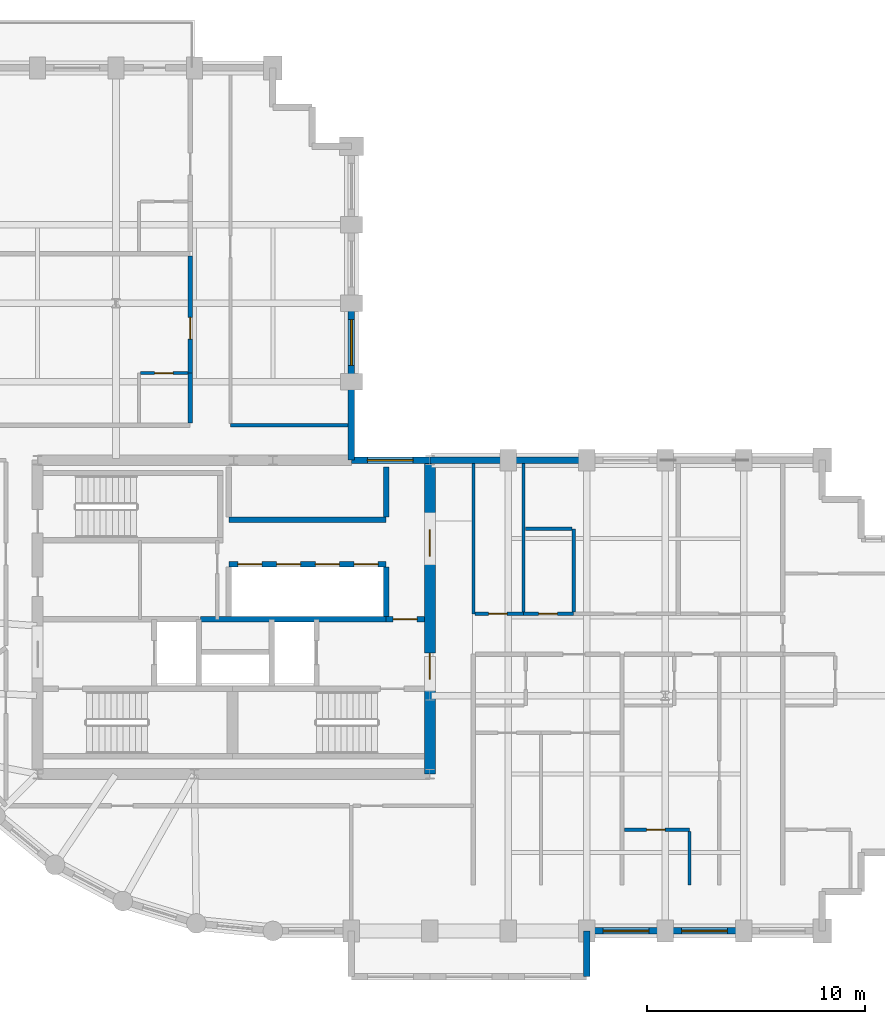
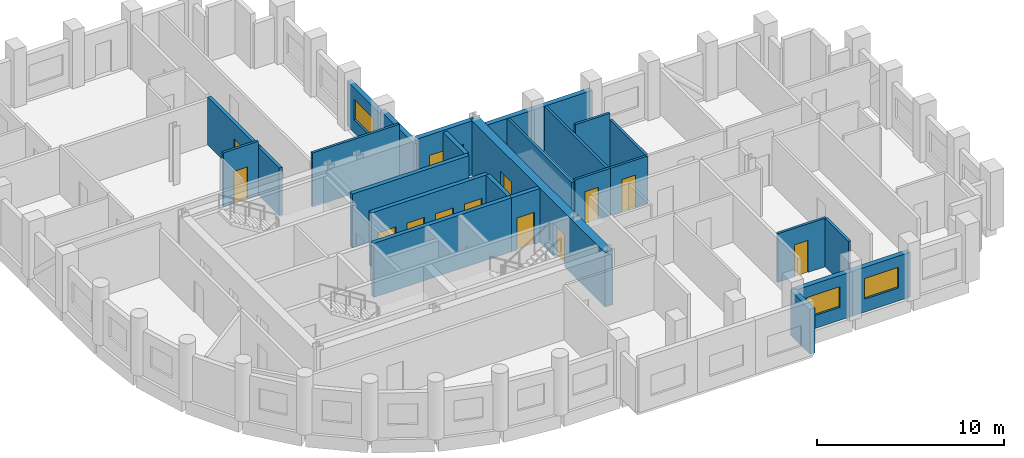
# One storey, part 5 of 9: 27 walls, 12 doors, 4 windows, 16 openings.
"""IFC4 building model written with IfcOpenShell, lengths in metres."""

from ifc_helpers import new_model, si_unit, direction, frame, frame_2d, origin, place, context, subcontext, project, spatial, rectangle, extrude, material, layer, layer_set, type_object, element, fill, save


model = new_model("IFC4")

# Units and contexts
model_context = context("Model", 3, precision=1e-05, world=origin(), true_north=direction((0.0, 1.0)))
body_context = subcontext(model_context, "Body", "Model", "MODEL_VIEW")
ifc_project = project(units=[si_unit("LENGTHUNIT", "METRE"), si_unit("AREAUNIT", "SQUARE_METRE"), si_unit("VOLUMEUNIT", "CUBIC_METRE"), si_unit("PLANEANGLEUNIT", "RADIAN"), si_unit("MASSUNIT", "GRAM", prefix="KILO")], contexts=[model_context])

# Site, building, storey
site_placement = place(None, origin())
site = spatial("IfcSite", under=ifc_project, at=site_placement, CompositionType="ELEMENT")
building_placement = place(site_placement, origin())
building = spatial("IfcBuilding", under=site, at=building_placement, Name="Solnavia Interchange Tower", CompositionType="ELEMENT")
storey_placement = place(building_placement, frame((0.0, 0.0, 131.39990234375)))
storey = spatial("IfcBuildingStorey", under=building, at=storey_placement, Name="L32", CompositionType="ELEMENT", Elevation=131.39990234375)

# Wall
ifc_material_1 = material(Name="Gypsum Acoustic Twin-Stud & Mineral Wool", Category="gypsum")
ifc_layer_1 = layer(ifc_material_1, 0.199951171875)
ifc_layer_set_1 = layer_set([ifc_layer_1], Name="Gypsum Acoustic Twin-Stud & Mineral Wool")
wall_type_1 = type_object("IfcWallType", Name="Wall-ApartmentParty-200", PredefinedType="PARTITIONING", material=ifc_layer_set_1)
wall_1_placement = place(storey_placement, frame((21.39990234375, 26.904052734375, 0.0), z_axis=(0.0, 0.0, 1.0), x_axis=(0.0, 1.0, 0.0)))
element("IfcWall", 1, at=wall_1_placement, inside=storey, type_object=wall_type_1, Name="PTW-L32-46 Interior partition wall", PredefinedType="PARTITIONING", context=body_context, shape_type="SweptSolid", body=[
    extrude(rectangle(XDim=2.2958984375, YDim=0.199951171875, at=frame_2d((1.14794921875, 0.0))), origin(), (0.0, 0.0, 1.0), 3.130126953125),
])

# Wall, opening, door
wall_2_placement = place(storey_placement, frame((21.39990234375, 29.199951171875, 0.0), z_axis=(0.0, 0.0, 1.0), x_axis=(0.0, 1.0, 0.0)))
wall_2 = element("IfcWall", 2, at=wall_2_placement, inside=storey, type_object=wall_type_1, Name="PTW-L32-49 Interior partition wall", PredefinedType="PARTITIONING", context=body_context, shape_type="SweptSolid", body=[
    extrude(rectangle(XDim=5.365966796875, YDim=0.199951171875, at=frame_2d((2.68310546875, 0.0))), origin(), (0.0, 0.0, 1.0), 3.130126953125),
])
opening_1_placement = place(wall_2_placement, frame((1.556884765625, 0.0, 0.0)))
opening_1 = element("IfcOpeningElement", 3, at=opening_1_placement, cuts=wall_2, Name="Opening DR-06", PredefinedType="OPENING", context=body_context, shape_type="SweptSolid", body=[
    extrude(rectangle(XDim=1.0, YDim=2.10009765625, at=frame_2d((0.5, 1.050048828125))), frame((0.0, 0.10986328125, 0.0), z_axis=(0.0, -1.0, 0.0), x_axis=(1.0, 0.0, 0.0)), (0.0, 0.0, 1.0), 0.219970703125),
])
ifc_material_2 = material(Name="Engineered Timber Acoustic Fire Door", Category="wood")
door_type_1 = type_object("IfcDoorType", Name="Door-FlatEntry-1000x2100", OperationType="SINGLE_SWING_LEFT", PredefinedType="DOOR", material=ifc_material_2)
door_1_placement = place(opening_1_placement, origin())
door_1 = element("IfcDoor", 4, at=door_1_placement, inside=storey, type_object=door_type_1, Name="DR-L32-22 Interior room door", OperationType="SINGLE_SWING_RIGHT", OverallHeight=2.10009765625, OverallWidth=1.0, PredefinedType="DOOR", context=body_context, shape_type="SweptSolid", body=[
    extrude(rectangle(XDim=1.0, YDim=2.10009765625, at=frame_2d((0.5, 1.050048828125))), frame((0.0, 0.02490234375, 0.0), z_axis=(0.0, -1.0, 0.0), x_axis=(1.0, 0.0, 0.0)), (0.0, 0.0, 1.0), 0.050048828125),
])
fill(opening_1, door_1)

# Wall
ifc_material_3 = material(Name="Concrete C40/50", Category="concrete")
ifc_layer_2 = layer(ifc_material_3, 0.300048828125)
ifc_layer_set_2 = layer_set([ifc_layer_2], Name="Concrete C40/50")
wall_type_2 = type_object("IfcWallType", Name="Wall-ExtSpandrel-300", PredefinedType="STANDARD", material=ifc_layer_set_2)
wall_3_placement = place(storey_placement, frame((39.60009765625, 3.60009765625, 0.0), z_axis=(0.0, 0.0, 1.0), x_axis=(0.0, -1.0, 0.0)))
element("IfcWall", 5, at=wall_3_placement, inside=storey, type_object=wall_type_2, Name="EXW-L32-06 Exterior precast spandrel wall", PredefinedType="STANDARD", context=body_context, shape_type="SweptSolid", body=[
    extrude(rectangle(XDim=2.10009765625, YDim=0.300048828125, at=frame_2d((1.050048828125, 0.0))), origin(), (0.0, 0.0, 1.0), 2.93017578125),
])

# Wall, opening, window
wall_4_placement = place(storey_placement, frame((43.199951171875, 3.60009765625, 0.0), z_axis=(0.0, 0.0, 1.0), x_axis=(-1.0, 0.0, 0.0)))
wall_4 = element("IfcWall", 6, at=wall_4_placement, inside=storey, type_object=wall_type_2, Name="EXW-L32-07 Exterior precast spandrel wall", PredefinedType="STANDARD", context=body_context, shape_type="SweptSolid", body=[
    extrude(rectangle(XDim=3.599853515625, YDim=0.300048828125, at=frame_2d((1.7998046875, 0.0))), origin(), (0.0, 0.0, 1.0), 2.93017578125),
])
opening_2_placement = place(wall_4_placement, frame((0.75, 0.0, 0.85009765625)))
opening_2 = element("IfcOpeningElement", 7, at=opening_2_placement, cuts=wall_4, Name="Opening WIN-01", PredefinedType="OPENING", context=body_context, shape_type="SweptSolid", body=[
    extrude(rectangle(XDim=2.10009765625, YDim=1.35009765625, at=frame_2d((1.050048828125, 0.675048828125))), frame((0.0, 0.16015625, 0.0), z_axis=(0.0, -1.0, 0.0), x_axis=(1.0, 0.0, 0.0)), (0.0, 0.0, 1.0), 0.320068359375),
])
ifc_material_4 = material(Name="Thermal-Break Aluminium & Low-E Glass", Category="aluminium")
window_type = type_object("IfcWindowType", Name="Window-Ribbon-2100x1350", PartitioningType="SINGLE_PANEL", PredefinedType="WINDOW", material=ifc_material_4)
window_1_placement = place(opening_2_placement, origin())
window_1 = element("IfcWindow", 8, at=window_1_placement, inside=storey, type_object=window_type, Name="WIN-L32-07 Facade ribbon window", OverallHeight=1.35009765625, OverallWidth=2.10009765625, PartitioningType="SINGLE_PANEL", PredefinedType="WINDOW", context=body_context, shape_type="SweptSolid", body=[
    extrude(rectangle(XDim=2.10009765625, YDim=1.35009765625, at=frame_2d((1.050048828125, 0.675048828125))), frame((0.0, 0.030029296875, 0.0), z_axis=(0.0, -1.0, 0.0), x_axis=(1.0, 0.0, 0.0)), (0.0, 0.0, 1.0), 0.06005859375),
])
fill(opening_2, window_1)

wall_5_placement = place(storey_placement, frame((46.800048828125, 3.60009765625, 0.0), z_axis=(0.0, 0.0, 1.0), x_axis=(-1.0, 0.0, 0.0)))
wall_5 = element("IfcWall", 9, at=wall_5_placement, inside=storey, type_object=wall_type_2, Name="EXW-L32-08 Exterior precast spandrel wall", PredefinedType="STANDARD", context=body_context, shape_type="SweptSolid", body=[
    extrude(rectangle(XDim=3.60009765625, YDim=0.300048828125, at=frame_2d((1.800048828125, 0.0))), origin(), (0.0, 0.0, 1.0), 2.93017578125),
])
opening_3_placement = place(wall_5_placement, frame((0.75, 0.0, 0.85009765625)))
opening_3 = element("IfcOpeningElement", 10, at=opening_3_placement, cuts=wall_5, Name="Opening WIN-01", PredefinedType="OPENING", context=body_context, shape_type="SweptSolid", body=[
    extrude(rectangle(XDim=2.10009765625, YDim=1.35009765625, at=frame_2d((1.050048828125, 0.675048828125))), frame((0.0, 0.16015625, 0.0), z_axis=(0.0, -1.0, 0.0), x_axis=(1.0, 0.0, 0.0)), (0.0, 0.0, 1.0), 0.320068359375),
])
window_2_placement = place(opening_3_placement, origin())
window_2 = element("IfcWindow", 11, at=window_2_placement, inside=storey, type_object=window_type, Name="WIN-L32-08 Facade ribbon window", OverallHeight=1.35009765625, OverallWidth=2.10009765625, PartitioningType="SINGLE_PANEL", PredefinedType="WINDOW", context=body_context, shape_type="SweptSolid", body=[
    extrude(rectangle(XDim=2.10009765625, YDim=1.35009765625, at=frame_2d((1.050048828125, 0.675048828125))), frame((0.0, 0.030029296875, 0.0), z_axis=(0.0, -1.0, 0.0), x_axis=(1.0, 0.0, 0.0)), (0.0, 0.0, 1.0), 0.06005859375),
])
fill(opening_3, window_2)

# Walls
for number, where, z_axis, x_axis, name in (
    (12, (36.0, 25.199951171875, 0.0), (0.0, 0.0, 1.0), (1.0, 0.0, 0.0), "EXW-L32-25 Exterior precast spandrel wall"),
    (13, (32.39990234375, 25.199951171875, 0.0), (0.0, 0.0, 1.0), (1.0, 0.0, 0.0), "EXW-L32-26 Exterior precast spandrel wall"),
):
    element("IfcWall", number, at=place(storey_placement, frame(where, z_axis=z_axis, x_axis=x_axis)), inside=storey, type_object=wall_type_2, Name=name, PredefinedType="STANDARD", context=body_context, shape_type="SweptSolid", body=[
        extrude(rectangle(XDim=3.60009765625, YDim=0.300048828125, at=frame_2d((1.800048828125, 0.0))), origin(), (0.0, 0.0, 1.0), 2.93017578125),
    ])

# Wall, opening, window
wall_6_placement = place(storey_placement, frame((28.800048828125, 25.199951171875, 0.0), z_axis=(0.0, 0.0, 1.0), x_axis=(1.0, 0.0, 0.0)))
wall_6 = element("IfcWall", 14, at=wall_6_placement, inside=storey, type_object=wall_type_2, Name="EXW-L32-27 Exterior precast spandrel wall", PredefinedType="STANDARD", context=body_context, shape_type="SweptSolid", body=[
    extrude(rectangle(XDim=3.599853515625, YDim=0.300048828125, at=frame_2d((1.7998046875, 0.0))), origin(), (0.0, 0.0, 1.0), 3.53515625),
])
opening_4_placement = place(wall_6_placement, frame((0.73388671875, 0.0, 0.85009765625)))
opening_4 = element("IfcOpeningElement", 15, at=opening_4_placement, cuts=wall_6, Name="Opening WIN-01", PredefinedType="OPENING", context=body_context, shape_type="SweptSolid", body=[
    extrude(rectangle(XDim=2.10009765625, YDim=1.35009765625, at=frame_2d((1.050048828125, 0.675048828125))), frame((0.0, 0.16015625, 0.0), z_axis=(0.0, -1.0, 0.0), x_axis=(1.0, 0.0, 0.0)), (0.0, 0.0, 1.0), 0.320068359375),
])
window_3_placement = place(opening_4_placement, origin())
window_3 = element("IfcWindow", 16, at=window_3_placement, inside=storey, type_object=window_type, Name="WIN-L32-27 Facade ribbon window", OverallHeight=1.35009765625, OverallWidth=2.10009765625, PartitioningType="SINGLE_PANEL", PredefinedType="WINDOW", context=body_context, shape_type="SweptSolid", body=[
    extrude(rectangle(XDim=2.10009765625, YDim=1.35009765625, at=frame_2d((1.050048828125, 0.675048828125))), frame((0.0, 0.030029296875, 0.0), z_axis=(0.0, -1.0, 0.0), x_axis=(1.0, 0.0, 0.0)), (0.0, 0.0, 1.0), 0.06005859375),
])
fill(opening_4, window_3)

# Wall
wall_7_placement = place(storey_placement, frame((28.800048828125, 28.800048828125, 0.0), z_axis=(0.0, 0.0, 1.0), x_axis=(0.0, -1.0, 0.0)))
element("IfcWall", 17, at=wall_7_placement, inside=storey, type_object=wall_type_2, Name="EXW-L32-28 Exterior precast spandrel wall", PredefinedType="STANDARD", context=body_context, shape_type="SweptSolid", body=[
    extrude(rectangle(XDim=3.60009765625, YDim=0.300048828125, at=frame_2d((1.800048828125, 0.0))), origin(), (0.0, 0.0, 1.0), 3.170166015625),
])

# Wall, opening, window
wall_8_placement = place(storey_placement, frame((28.800048828125, 32.39990234375, 0.0), z_axis=(0.0, 0.0, 1.0), x_axis=(0.0, -1.0, 0.0)))
wall_8 = element("IfcWall", 18, at=wall_8_placement, inside=storey, type_object=wall_type_2, Name="EXW-L32-29 Exterior precast spandrel wall", PredefinedType="STANDARD", context=body_context, shape_type="SweptSolid", body=[
    extrude(rectangle(XDim=3.599853515625, YDim=0.300048828125, at=frame_2d((1.7998046875, 0.0))), origin(), (0.0, 0.0, 1.0), 2.93017578125),
])
opening_5_placement = place(wall_8_placement, frame((0.75, 0.0, 0.85009765625)))
opening_5 = element("IfcOpeningElement", 19, at=opening_5_placement, cuts=wall_8, Name="Opening WIN-01", PredefinedType="OPENING", context=body_context, shape_type="SweptSolid", body=[
    extrude(rectangle(XDim=2.10009765625, YDim=1.35009765625, at=frame_2d((1.050048828125, 0.675048828125))), frame((0.0, 0.16015625, 0.0), z_axis=(0.0, -1.0, 0.0), x_axis=(1.0, 0.0, 0.0)), (0.0, 0.0, 1.0), 0.320068359375),
])
window_4_placement = place(opening_5_placement, origin())
window_4 = element("IfcWindow", 20, at=window_4_placement, inside=storey, type_object=window_type, Name="WIN-L32-29 Facade ribbon window", OverallHeight=1.35009765625, OverallWidth=2.10009765625, PartitioningType="SINGLE_PANEL", PredefinedType="WINDOW", context=body_context, shape_type="SweptSolid", body=[
    extrude(rectangle(XDim=2.10009765625, YDim=1.35009765625, at=frame_2d((1.050048828125, 0.675048828125))), frame((0.0, 0.030029296875, 0.0), z_axis=(0.0, -1.0, 0.0), x_axis=(1.0, 0.0, 0.0)), (0.0, 0.0, 1.0), 0.06005859375),
])
fill(opening_5, window_4)

# Walls
ifc_material_5 = material(Name="Gypsum Plasterboard & Steel Stud", Category="steel")
ifc_layer_3 = layer(ifc_material_5, 0.14990234375)
ifc_layer_set_3 = layer_set([ifc_layer_3], Name="Gypsum Plasterboard & Steel Stud")
wall_type_3 = type_object("IfcWallType", Name="Wall-Partition-150", PredefinedType="PARTITIONING", material=ifc_layer_set_3)
wall_9_placement = place(storey_placement, frame((23.25, 26.800048828125, 0.0), z_axis=(0.0, 0.0, 1.0), x_axis=(1.0, 0.0, 0.0)))
element("IfcWall", 21, at=wall_9_placement, inside=storey, type_object=wall_type_3, Name="PTW-L32-60 Interior partition wall", PredefinedType="PARTITIONING", context=body_context, shape_type="SweptSolid", body=[
    extrude(rectangle(XDim=5.39599609375, YDim=0.14990234375, at=frame_2d((2.697998046875, 0.0))), origin(), (0.0, 0.0, 1.0), 3.53515625),
])
ifc_layer_4 = layer(ifc_material_3, 0.25)
ifc_layer_set_4 = layer_set([ifc_layer_4], Name="Concrete C40/50")
wall_type_4 = type_object("IfcWallType", Name="Wall-ShaftPart-250", PredefinedType="PARTITIONING", material=ifc_layer_set_4)
wall_10_placement = place(storey_placement, frame((21.8798828125, 17.89990234375, 0.0), z_axis=(0.0, 0.0, 1.0), x_axis=(1.0, 0.0, 0.0)))
element("IfcWall", 22, at=wall_10_placement, inside=storey, type_object=wall_type_4, Name="SHW-L32-FFLE-N1 Core shaft wall", PredefinedType="PARTITIONING", context=body_context, shape_type="SweptSolid", body=[
    extrude(rectangle(XDim=8.52001953125, YDim=0.25, at=frame_2d((4.260009765625, 0.0))), origin(), (0.0, 0.0, 1.0), 3.53515625),
])

# Wall, opening, door
wall_11_placement = place(storey_placement, frame((30.39990234375, 17.89990234375, 0.0), z_axis=(0.0, 0.0, 1.0), x_axis=(1.0, 0.0, 0.0)))
wall_11 = element("IfcWall", 23, at=wall_11_placement, inside=storey, type_object=wall_type_4, Name="SHW-L32-FFLE-N2 Core shaft wall", PredefinedType="PARTITIONING", context=body_context, shape_type="SweptSolid", body=[
    extrude(rectangle(XDim=1.75, YDim=0.25, at=frame_2d((0.875, 0.0))), origin(), (0.0, 0.0, 1.0), 3.53515625),
])
opening_6_placement = place(wall_11_placement, frame((0.320068359375, 0.0, 0.0)))
opening_6 = element("IfcOpeningElement", 24, at=opening_6_placement, cuts=wall_11, Name="Opening DR-01", PredefinedType="OPENING", context=body_context, shape_type="SweptSolid", body=[
    extrude(rectangle(XDim=1.10009765625, YDim=2.10009765625, at=frame_2d((0.550048828125, 1.050048828125))), frame((0.0, 0.135009765625, 0.0), z_axis=(0.0, -1.0, 0.0), x_axis=(1.0, 0.0, 0.0)), (0.0, 0.0, 1.0), 0.27001953125),
])
ifc_material_6 = material(Name="Steel Fire-Rated Leaf & Frame", Category="steel")
door_type_2 = type_object("IfcDoorType", Name="Door-StairFire-1100x2100", OperationType="SINGLE_SWING_LEFT", PredefinedType="DOOR", material=ifc_material_6)
door_2_placement = place(opening_6_placement, origin())
door_2 = element("IfcDoor", 25, at=door_2_placement, inside=storey, type_object=door_type_2, Name="DR-L32-LLC Core fire door", OperationType="SINGLE_SWING_LEFT", OverallHeight=2.10009765625, OverallWidth=1.10009765625, PredefinedType="DOOR", context=body_context, shape_type="SweptSolid", body=[
    extrude(rectangle(XDim=1.10009765625, YDim=2.10009765625, at=frame_2d((0.550048828125, 1.050048828125))), frame((0.0, 0.02490234375, 0.0), z_axis=(0.0, -1.0, 0.0), x_axis=(1.0, 0.0, 0.0)), (0.0, 0.0, 1.0), 0.050048828125),
])
fill(opening_6, door_2)

# Wall, openings, doors
wall_12_placement = place(storey_placement, frame((23.179931640625, 20.419921875, 0.0), z_axis=(0.0, 0.0, 1.0), x_axis=(1.0, 0.0, 0.0)))
wall_12 = element("IfcWall", 26, at=wall_12_placement, inside=storey, type_object=wall_type_4, Name="SHW-L32-B2N Core shaft wall", PredefinedType="PARTITIONING", context=body_context, shape_type="SweptSolid", body=[
    extrude(rectangle(XDim=7.219970703125, YDim=0.25, at=frame_2d((3.60986328125, 0.0))), origin(), (0.0, 0.0, 1.0), 3.53515625),
])
opening_7_placement = place(wall_12_placement, frame((0.409912109375, 0.0, 0.0)))
opening_7 = element("IfcOpeningElement", 27, at=opening_7_placement, cuts=wall_12, Name="Opening LD-01", PredefinedType="OPENING", context=body_context, shape_type="SweptSolid", body=[
    extrude(rectangle(XDim=1.10009765625, YDim=2.10009765625, at=frame_2d((0.550048828125, 1.050048828125))), frame((0.0, 0.135009765625, 0.0), z_axis=(0.0, -1.0, 0.0), x_axis=(1.0, 0.0, 0.0)), (0.0, 0.0, 1.0), 0.27001953125),
])
opening_8_placement = place(wall_12_placement, frame((2.18994140625, 0.0, 0.0)))
opening_8 = element("IfcOpeningElement", 28, at=opening_8_placement, cuts=wall_12, Name="Opening LD-01", PredefinedType="OPENING", context=body_context, shape_type="SweptSolid", body=[
    extrude(rectangle(XDim=1.10009765625, YDim=2.10009765625, at=frame_2d((0.550048828125, 1.050048828125))), frame((0.0, 0.135009765625, 0.0), z_axis=(0.0, -1.0, 0.0), x_axis=(1.0, 0.0, 0.0)), (0.0, 0.0, 1.0), 0.27001953125),
])
opening_9_placement = place(wall_12_placement, frame((3.969970703125, 0.0, 0.0)))
opening_9 = element("IfcOpeningElement", 29, at=opening_9_placement, cuts=wall_12, Name="Opening LD-01", PredefinedType="OPENING", context=body_context, shape_type="SweptSolid", body=[
    extrude(rectangle(XDim=1.10009765625, YDim=2.10009765625, at=frame_2d((0.550048828125, 1.050048828125))), frame((0.0, 0.135009765625, 0.0), z_axis=(0.0, -1.0, 0.0), x_axis=(1.0, 0.0, 0.0)), (0.0, 0.0, 1.0), 0.27001953125),
])
opening_10_placement = place(wall_12_placement, frame((5.75, 0.0, 0.0)))
opening_10 = element("IfcOpeningElement", 30, at=opening_10_placement, cuts=wall_12, Name="Opening LD-01", PredefinedType="OPENING", context=body_context, shape_type="SweptSolid", body=[
    extrude(rectangle(XDim=1.10009765625, YDim=2.10009765625, at=frame_2d((0.550048828125, 1.050048828125))), frame((0.0, 0.135009765625, 0.0), z_axis=(0.0, -1.0, 0.0), x_axis=(1.0, 0.0, 0.0)), (0.0, 0.0, 1.0), 0.27001953125),
])
ifc_material_7 = material(Name="Brushed Stainless Steel Sliding Door", Category="steel")
door_type_3 = type_object("IfcDoorType", Name="Door-LiftLanding-1100x2100", OperationType="SLIDING_TO_LEFT", PredefinedType="DOOR", material=ifc_material_7)
door_3_placement = place(opening_7_placement, origin())
door_3 = element("IfcDoor", 31, at=door_3_placement, inside=storey, type_object=door_type_3, Name="LD-L32-B2-1 Lift landing sliding door", OperationType="SLIDING_TO_LEFT", OverallHeight=2.10009765625, OverallWidth=1.10009765625, PredefinedType="DOOR", context=body_context, shape_type="SweptSolid", body=[
    extrude(rectangle(XDim=1.10009765625, YDim=2.10009765625, at=frame_2d((0.550048828125, 1.050048828125))), frame((0.0, 0.02490234375, 0.0), z_axis=(0.0, -1.0, 0.0), x_axis=(1.0, 0.0, 0.0)), (0.0, 0.0, 1.0), 0.050048828125),
])
fill(opening_7, door_3)
door_4_placement = place(opening_8_placement, origin())
door_4 = element("IfcDoor", 32, at=door_4_placement, inside=storey, type_object=door_type_3, Name="LD-L32-B2-2 Lift landing sliding door", OperationType="SLIDING_TO_LEFT", OverallHeight=2.10009765625, OverallWidth=1.10009765625, PredefinedType="DOOR", context=body_context, shape_type="SweptSolid", body=[
    extrude(rectangle(XDim=1.10009765625, YDim=2.10009765625, at=frame_2d((0.550048828125, 1.050048828125))), frame((0.0, 0.02490234375, 0.0), z_axis=(0.0, -1.0, 0.0), x_axis=(1.0, 0.0, 0.0)), (0.0, 0.0, 1.0), 0.050048828125),
])
fill(opening_8, door_4)
door_5_placement = place(opening_9_placement, origin())
door_5 = element("IfcDoor", 33, at=door_5_placement, inside=storey, type_object=door_type_3, Name="LD-L32-B2-3 Lift landing sliding door", OperationType="SLIDING_TO_LEFT", OverallHeight=2.10009765625, OverallWidth=1.10009765625, PredefinedType="DOOR", context=body_context, shape_type="SweptSolid", body=[
    extrude(rectangle(XDim=1.10009765625, YDim=2.10009765625, at=frame_2d((0.550048828125, 1.050048828125))), frame((0.0, 0.02490234375, 0.0), z_axis=(0.0, -1.0, 0.0), x_axis=(1.0, 0.0, 0.0)), (0.0, 0.0, 1.0), 0.050048828125),
])
fill(opening_9, door_5)
door_6_placement = place(opening_10_placement, origin())
door_6 = element("IfcDoor", 34, at=door_6_placement, inside=storey, type_object=door_type_3, Name="LD-L32-B2-4 Lift landing sliding door", OperationType="SLIDING_TO_LEFT", OverallHeight=2.10009765625, OverallWidth=1.10009765625, PredefinedType="DOOR", context=body_context, shape_type="SweptSolid", body=[
    extrude(rectangle(XDim=1.10009765625, YDim=2.10009765625, at=frame_2d((0.550048828125, 1.050048828125))), frame((0.0, 0.02490234375, 0.0), z_axis=(0.0, -1.0, 0.0), x_axis=(1.0, 0.0, 0.0)), (0.0, 0.0, 1.0), 0.050048828125),
])
fill(opening_10, door_6)

# Walls
wall_13_placement = place(storey_placement, frame((30.39990234375, 18.02490234375, 0.0), z_axis=(0.0, 0.0, 1.0), x_axis=(0.0, 1.0, 0.0)))
element("IfcWall", 35, at=wall_13_placement, inside=storey, type_object=wall_type_4, Name="SHW-L32-B2E Core shaft wall", PredefinedType="PARTITIONING", context=body_context, shape_type="SweptSolid", body=[
    extrude(rectangle(XDim=2.27001953125, YDim=0.25, at=frame_2d((1.135009765625, 0.0))), origin(), (0.0, 0.0, 1.0), 3.53515625),
])
wall_14_placement = place(storey_placement, frame((23.179931640625, 22.4599609375, 0.0), z_axis=(0.0, 0.0, 1.0), x_axis=(1.0, 0.0, 0.0)))
element("IfcWall", 36, at=wall_14_placement, inside=storey, type_object=wall_type_4, Name="SHW-L32-B3S Core shaft wall", PredefinedType="PARTITIONING", context=body_context, shape_type="SweptSolid", body=[
    extrude(rectangle(XDim=7.219970703125, YDim=0.25, at=frame_2d((3.60986328125, 0.0))), origin(), (0.0, 0.0, 1.0), 3.53515625),
])
wall_15_placement = place(storey_placement, frame((30.39990234375, 22.5849609375, 0.0), z_axis=(0.0, 0.0, 1.0), x_axis=(0.0, 1.0, 0.0)))
element("IfcWall", 37, at=wall_15_placement, inside=storey, type_object=wall_type_4, Name="SHW-L32-B3E Core shaft wall", PredefinedType="PARTITIONING", context=body_context, shape_type="SweptSolid", body=[
    extrude(rectangle(XDim=2.31494140625, YDim=0.25, at=frame_2d((1.157470703125, 0.0))), origin(), (0.0, 0.0, 1.0), 3.53515625),
])

# Wall, openings, doors
ifc_material_8 = material(Name="Concrete C60/75", Category="concrete")
ifc_layer_5 = layer(ifc_material_8, 0.5)
ifc_layer_set_5 = layer_set([ifc_layer_5], Name="Concrete C60/75")
wall_type_5 = type_object("IfcWallType", Name="Wall-ShearCore-500", PredefinedType="SHEAR", material=ifc_layer_set_5)
wall_16_placement = place(storey_placement, frame((32.39990234375, 10.800048828125, 0.0), z_axis=(0.0, 0.0, 1.0), x_axis=(0.0, 1.0, 0.0)))
wall_16 = element("IfcWall", 38, at=wall_16_placement, inside=storey, type_object=wall_type_5, Name="CRW-L32-E Core shear wall", PredefinedType="SHEAR", context=body_context, shape_type="SweptSolid", body=[
    extrude(rectangle(XDim=14.39990234375, YDim=0.5, at=frame_2d((7.199951171875, 0.0))), origin(), (0.0, 0.0, 1.0), 3.550048828125),
])
opening_11_placement = place(wall_16_placement, frame((4.35009765625, 0.0, 0.0)))
opening_11 = element("IfcOpeningElement", 39, at=opening_11_placement, cuts=wall_16, Name="Opening DR-02", PredefinedType="OPENING", context=body_context, shape_type="SweptSolid", body=[
    extrude(rectangle(XDim=1.199951171875, YDim=2.10009765625, at=frame_2d((0.60009765625, 1.050048828125))), frame((0.0, 0.260009765625, 0.0), z_axis=(0.0, -1.0, 0.0), x_axis=(1.0, 0.0, 0.0)), (0.0, 0.0, 1.0), 0.52001953125),
])
opening_12_placement = place(wall_16_placement, frame((10.0, 0.0, 0.0)))
opening_12 = element("IfcOpeningElement", 40, at=opening_12_placement, cuts=wall_16, Name="Opening DR-02", PredefinedType="OPENING", context=body_context, shape_type="SweptSolid", body=[
    extrude(rectangle(XDim=1.199951171875, YDim=2.10009765625, at=frame_2d((0.60009765625, 1.050048828125))), frame((0.0, 0.260009765625, 0.0), z_axis=(0.0, -1.0, 0.0), x_axis=(1.0, 0.0, 0.0)), (0.0, 0.0, 1.0), 0.52001953125),
])
ifc_material_9 = material(Name="Steel Fire-Rated Vision-Panel Door", Category="steel")
door_type_4 = type_object("IfcDoorType", Name="Door-LobbyFire-1200x2100", OperationType="SINGLE_SWING_RIGHT", PredefinedType="DOOR", material=ifc_material_9)
door_7_placement = place(opening_11_placement, origin())
door_7 = element("IfcDoor", 41, at=door_7_placement, inside=storey, type_object=door_type_4, Name="DR-L32-FFL2E Core fire door", OperationType="SINGLE_SWING_LEFT", OverallHeight=2.10009765625, OverallWidth=1.199951171875, PredefinedType="DOOR", context=body_context, shape_type="SweptSolid", body=[
    extrude(rectangle(XDim=1.199951171875, YDim=2.10009765625, at=frame_2d((0.60009765625, 1.050048828125))), frame((0.0, 0.02490234375, 0.0), z_axis=(0.0, -1.0, 0.0), x_axis=(1.0, 0.0, 0.0)), (0.0, 0.0, 1.0), 0.050048828125),
])
fill(opening_11, door_7)
door_8_placement = place(opening_12_placement, origin())
door_8 = element("IfcDoor", 42, at=door_8_placement, inside=storey, type_object=door_type_4, Name="DR-L32-LLE Core fire door", OperationType="SINGLE_SWING_RIGHT", OverallHeight=2.10009765625, OverallWidth=1.199951171875, PredefinedType="DOOR", context=body_context, shape_type="SweptSolid", body=[
    extrude(rectangle(XDim=1.199951171875, YDim=2.10009765625, at=frame_2d((0.60009765625, 1.050048828125))), frame((0.0, 0.02490234375, 0.0), z_axis=(0.0, -1.0, 0.0), x_axis=(1.0, 0.0, 0.0)), (0.0, 0.0, 1.0), 0.050048828125),
])
fill(opening_12, door_8)

# Wall
ifc_material_10 = material(Name="Moisture-Resistant Gypsum & Steel Stud", Category="steel")
ifc_layer_6 = layer(ifc_material_10, 0.14990234375)
ifc_layer_set_6 = layer_set([ifc_layer_6], Name="Moisture-Resistant Gypsum & Steel Stud")
wall_type_6 = type_object("IfcWallType", Name="Wall-WetRoom-150", PredefinedType="PARTITIONING", material=ifc_layer_set_6)
wall_17_placement = place(storey_placement, frame((34.39990234375, 18.14990234375, 0.0), z_axis=(0.0, 0.0, 1.0), x_axis=(0.0, 1.0, 0.0)))
element("IfcWall", 43, at=wall_17_placement, inside=storey, type_object=wall_type_6, Name="PTW-L32-01 Interior partition wall", PredefinedType="PARTITIONING", context=body_context, shape_type="SweptSolid", body=[
    extrude(rectangle(XDim=6.89599609375, YDim=0.14990234375, at=frame_2d((3.447998046875, 0.0))), origin(), (0.0, 0.0, 1.0), 2.93017578125),
])

# Wall, opening, door
wall_18_placement = place(storey_placement, frame((34.47900390625, 18.14990234375, 0.0), z_axis=(0.0, 0.0, 1.0), x_axis=(1.0, 0.0, 0.0)))
wall_18 = element("IfcWall", 44, at=wall_18_placement, inside=storey, type_object=wall_type_6, Name="PTW-L32-02 Interior partition wall", PredefinedType="PARTITIONING", context=body_context, shape_type="SweptSolid", body=[
    extrude(rectangle(XDim=2.220947265625, YDim=0.14990234375, at=frame_2d((1.1103515625, 0.0))), origin(), (0.0, 0.0, 1.0), 3.080078125),
])
opening_13_placement = place(wall_18_placement, frame((0.617919921875, 0.0, 0.0)))
opening_13 = element("IfcOpeningElement", 45, at=opening_13_placement, cuts=wall_18, Name="Opening DR-10", PredefinedType="OPENING", context=body_context, shape_type="SweptSolid", body=[
    extrude(rectangle(XDim=0.85009765625, YDim=2.10009765625, at=frame_2d((0.425048828125, 1.050048828125))), frame((0.0, 0.0849609375, 0.0), z_axis=(0.0, -1.0, 0.0), x_axis=(1.0, 0.0, 0.0)), (0.0, 0.0, 1.0), 0.169921875),
])
ifc_material_11 = material(Name="Moisture-Resistant Timber Door", Category="wood")
door_type_5 = type_object("IfcDoorType", Name="Door-Bathroom-850x2100", OperationType="SINGLE_SWING_RIGHT", PredefinedType="DOOR", material=ifc_material_11)
door_9_placement = place(opening_13_placement, origin())
door_9 = element("IfcDoor", 46, at=door_9_placement, inside=storey, type_object=door_type_5, Name="DR-L32-01 Interior room door", OperationType="SINGLE_SWING_LEFT", OverallHeight=2.10009765625, OverallWidth=0.85009765625, PredefinedType="DOOR", context=body_context, shape_type="SweptSolid", body=[
    extrude(rectangle(XDim=0.85009765625, YDim=2.10009765625, at=frame_2d((0.425048828125, 1.050048828125))), frame((0.0, 0.02490234375, 0.0), z_axis=(0.0, -1.0, 0.0), x_axis=(1.0, 0.0, 0.0)), (0.0, 0.0, 1.0), 0.050048828125),
])
fill(opening_13, door_9)

# Wall
wall_19_placement = place(storey_placement, frame((36.699951171875, 18.22900390625, 0.0), z_axis=(0.0, 0.0, 1.0), x_axis=(0.0, 1.0, 0.0)))
element("IfcWall", 47, at=wall_19_placement, inside=storey, type_object=wall_type_6, Name="PTW-L32-03 Interior partition wall", PredefinedType="PARTITIONING", context=body_context, shape_type="SweptSolid", body=[
    extrude(rectangle(XDim=6.81689453125, YDim=0.14990234375, at=frame_2d((3.408447265625, 0.0))), origin(), (0.0, 0.0, 1.0), 2.93017578125),
])

# Wall, opening, door
wall_20_placement = place(storey_placement, frame((36.699951171875, 18.14990234375, 0.0), z_axis=(0.0, 0.0, 1.0), x_axis=(1.0, 0.0, 0.0)))
wall_20 = element("IfcWall", 48, at=wall_20_placement, inside=storey, type_object=wall_type_6, Name="PTW-L32-04 Interior partition wall", PredefinedType="PARTITIONING", context=body_context, shape_type="SweptSolid", body=[
    extrude(rectangle(XDim=2.300048828125, YDim=0.14990234375, at=frame_2d((1.14990234375, 0.0))), origin(), (0.0, 0.0, 1.0), 3.080078125),
])
opening_14_placement = place(wall_20_placement, frame((0.697021484375, 0.0, 0.0)))
opening_14 = element("IfcOpeningElement", 49, at=opening_14_placement, cuts=wall_20, Name="Opening DR-10", PredefinedType="OPENING", context=body_context, shape_type="SweptSolid", body=[
    extrude(rectangle(XDim=0.85009765625, YDim=2.10009765625, at=frame_2d((0.425048828125, 1.050048828125))), frame((0.0, 0.0849609375, 0.0), z_axis=(0.0, -1.0, 0.0), x_axis=(1.0, 0.0, 0.0)), (0.0, 0.0, 1.0), 0.169921875),
])
door_10_placement = place(opening_14_placement, origin())
door_10 = element("IfcDoor", 50, at=door_10_placement, inside=storey, type_object=door_type_5, Name="DR-L32-02 Interior room door", OperationType="SINGLE_SWING_RIGHT", OverallHeight=2.10009765625, OverallWidth=0.85009765625, PredefinedType="DOOR", context=body_context, shape_type="SweptSolid", body=[
    extrude(rectangle(XDim=0.85009765625, YDim=2.10009765625, at=frame_2d((0.425048828125, 1.050048828125))), frame((0.0, 0.02490234375, 0.0), z_axis=(0.0, -1.0, 0.0), x_axis=(1.0, 0.0, 0.0)), (0.0, 0.0, 1.0), 0.050048828125),
])
fill(opening_14, door_10)

# Walls
wall_21_placement = place(storey_placement, frame((39.0, 18.22900390625, 0.0), z_axis=(0.0, 0.0, 1.0), x_axis=(0.0, 1.0, 0.0)))
element("IfcWall", 51, at=wall_21_placement, inside=storey, type_object=wall_type_6, Name="PTW-L32-05 Interior partition wall", PredefinedType="PARTITIONING", context=body_context, shape_type="SweptSolid", body=[
    extrude(rectangle(XDim=3.821044921875, YDim=0.14990234375, at=frame_2d((1.91064453125, 0.0))), origin(), (0.0, 0.0, 1.0), 3.080078125),
])
wall_22_placement = place(storey_placement, frame((36.779052734375, 22.050048828125, 0.0), z_axis=(0.0, 0.0, 1.0), x_axis=(1.0, 0.0, 0.0)))
element("IfcWall", 52, at=wall_22_placement, inside=storey, type_object=wall_type_6, Name="PTW-L32-06 Interior partition wall", PredefinedType="PARTITIONING", context=body_context, shape_type="SweptSolid", body=[
    extrude(rectangle(XDim=2.141845703125, YDim=0.14990234375, at=frame_2d((1.07080078125, 0.0))), origin(), (0.0, 0.0, 1.0), 3.53515625),
])

# Wall, opening, door
wall_23_placement = place(storey_placement, frame((41.323974609375, 8.25, 0.0), z_axis=(0.0, 0.0, 1.0), x_axis=(1.0, 0.0, 0.0)))
wall_23 = element("IfcWall", 53, at=wall_23_placement, inside=storey, type_object=wall_type_6, Name="PTW-L32-30 Interior partition wall", PredefinedType="PARTITIONING", context=body_context, shape_type="SweptSolid", body=[
    extrude(rectangle(XDim=2.99609375, YDim=0.14990234375, at=frame_2d((1.498046875, 0.0))), origin(), (0.0, 0.0, 1.0), 3.18017578125),
])
opening_15_placement = place(wall_23_placement, frame((1.02099609375, 0.0, 0.0)))
opening_15 = element("IfcOpeningElement", 54, at=opening_15_placement, cuts=wall_23, Name="Opening DR-10", PredefinedType="OPENING", context=body_context, shape_type="SweptSolid", body=[
    extrude(rectangle(XDim=0.85009765625, YDim=2.10009765625, at=frame_2d((0.425048828125, 1.050048828125))), frame((0.0, 0.0849609375, 0.0), z_axis=(0.0, -1.0, 0.0), x_axis=(1.0, 0.0, 0.0)), (0.0, 0.0, 1.0), 0.169921875),
])
door_11_placement = place(opening_15_placement, origin())
door_11 = element("IfcDoor", 55, at=door_11_placement, inside=storey, type_object=door_type_5, Name="DR-L32-14 Interior room door", OperationType="SINGLE_SWING_LEFT", OverallHeight=2.10009765625, OverallWidth=0.85009765625, PredefinedType="DOOR", context=body_context, shape_type="SweptSolid", body=[
    extrude(rectangle(XDim=0.85009765625, YDim=2.10009765625, at=frame_2d((0.425048828125, 1.050048828125))), frame((0.0, 0.02490234375, 0.0), z_axis=(0.0, -1.0, 0.0), x_axis=(1.0, 0.0, 0.0)), (0.0, 0.0, 1.0), 0.050048828125),
])
fill(opening_15, door_11)

# Wall
wall_24_placement = place(storey_placement, frame((44.320068359375, 5.699951171875, 0.0), z_axis=(0.0, 0.0, 1.0), x_axis=(0.0, 1.0, 0.0)))
element("IfcWall", 56, at=wall_24_placement, inside=storey, type_object=wall_type_6, Name="PTW-L32-31 Interior partition wall", PredefinedType="PARTITIONING", context=body_context, shape_type="SweptSolid", body=[
    extrude(rectangle(XDim=2.470947265625, YDim=0.14990234375, at=frame_2d((1.2353515625, 0.0))), origin(), (0.0, 0.0, 1.0), 3.170166015625),
])

# Wall, opening, door
wall_25_placement = place(storey_placement, frame((19.12890625, 29.199951171875, 0.0), z_axis=(0.0, 0.0, 1.0), x_axis=(1.0, 0.0, 0.0)))
wall_25 = element("IfcWall", 57, at=wall_25_placement, inside=storey, type_object=wall_type_6, Name="PTW-L32-48 Interior partition wall", PredefinedType="PARTITIONING", context=body_context, shape_type="SweptSolid", body=[
    extrude(rectangle(XDim=2.1669921875, YDim=0.14990234375, at=frame_2d((1.08349609375, 0.0))), origin(), (0.0, 0.0, 1.0), 3.53515625),
])
opening_16_placement = place(wall_25_placement, frame((0.64111328125, 0.0, 0.0)))
opening_16 = element("IfcOpeningElement", 58, at=opening_16_placement, cuts=wall_25, Name="Opening DR-10", PredefinedType="OPENING", context=body_context, shape_type="SweptSolid", body=[
    extrude(rectangle(XDim=0.85009765625, YDim=2.10009765625, at=frame_2d((0.425048828125, 1.050048828125))), frame((0.0, 0.0849609375, 0.0), z_axis=(0.0, -1.0, 0.0), x_axis=(1.0, 0.0, 0.0)), (0.0, 0.0, 1.0), 0.169921875),
])
door_12_placement = place(opening_16_placement, origin())
door_12 = element("IfcDoor", 59, at=door_12_placement, inside=storey, type_object=door_type_5, Name="DR-L32-21 Interior room door", OperationType="SINGLE_SWING_RIGHT", OverallHeight=2.10009765625, OverallWidth=0.85009765625, PredefinedType="DOOR", context=body_context, shape_type="SweptSolid", body=[
    extrude(rectangle(XDim=0.85009765625, YDim=2.10009765625, at=frame_2d((0.425048828125, 1.050048828125))), frame((0.0, 0.02490234375, 0.0), z_axis=(0.0, -1.0, 0.0), x_axis=(1.0, 0.0, 0.0)), (0.0, 0.0, 1.0), 0.050048828125),
])
fill(opening_16, door_12)

save(model, "model.ifc")
